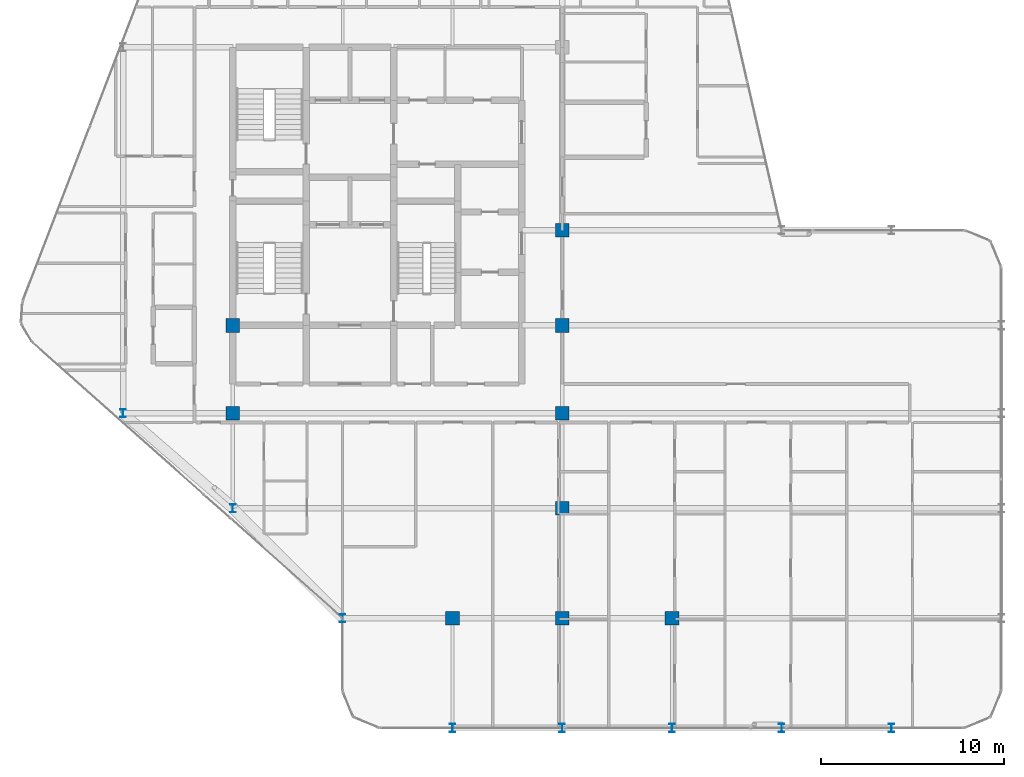
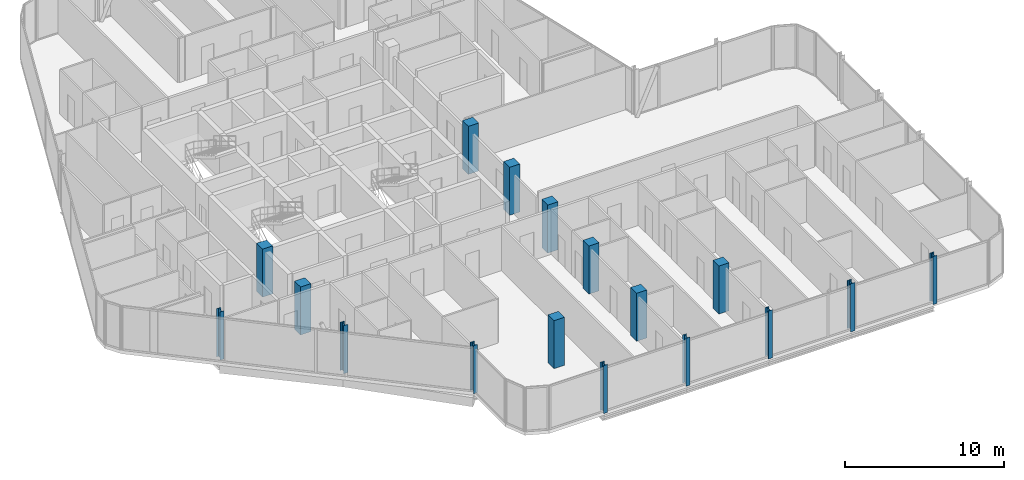
# One storey, part 1 of 29: 17 columns.
"""IFC4 building model written with IfcOpenShell, lengths in metres."""

from ifc_helpers import new_model, si_unit, direction, frame, origin, origin_2d, place, context, subcontext, project, spatial, rectangle, i_section, extrude, material, material_profile, profile_set, type_object, element, save


model = new_model("IFC4")

# Units and contexts
model_context = context("Model", 3, precision=1e-05, world=origin(), true_north=direction((0.0, 1.0)))
body_context = subcontext(model_context, "Body", "Model", "MODEL_VIEW")
ifc_project = project(units=[si_unit("LENGTHUNIT", "METRE"), si_unit("AREAUNIT", "SQUARE_METRE"), si_unit("VOLUMEUNIT", "CUBIC_METRE"), si_unit("PLANEANGLEUNIT", "RADIAN"), si_unit("MASSUNIT", "GRAM", prefix="KILO")], contexts=[model_context])

# Site, building, storey
site_placement = place(None, origin())
site = spatial("IfcSite", under=ifc_project, at=site_placement, CompositionType="ELEMENT")
building_placement = place(site_placement, origin())
building = spatial("IfcBuilding", under=site, at=building_placement, Name="Keshet Zoharim Tower", CompositionType="ELEMENT")
storey_placement = place(building_placement, frame((0.0, 0.0, 222.800048828125)))
storey = spatial("IfcBuildingStorey", under=building, at=storey_placement, Name="L55", CompositionType="ELEMENT", Elevation=222.800048828125)

# Columns
ifc_material_1 = material(Name="Steel S355", Category="steel")
ifc_material_profile_1 = material_profile(ifc_material_1, i_section(OverallWidth=0.300048828125, OverallDepth=0.449951171875, WebThickness=0.013916015625, FlangeThickness=0.02587890625, FilletRadius=0.027099609375, at=origin_2d()), Name="HEB450")
ifc_profile_set_1 = profile_set([ifc_material_profile_1], Name="Steel S355")
column_type_1 = type_object("IfcColumnType", Name="COL-HEB450", PredefinedType="COLUMN", material=ifc_profile_set_1)
for number, where, z_axis, x_axis, name in (
    (1, (9.0, 17.89990234375, 0.0), (0.0, 0.0, 1.0), (1.0, 0.0, 0.0), "L55 Column 2D"),
    (2, (15.0, 12.699951171875, 0.0), (0.0, 0.0, 1.0), (1.0, 0.0, 0.0), "L55 Column 3C"),
    (3, (21.0, 6.699951171875, 0.0), (0.0, 0.0, 1.0), (1.0, 0.0, 0.0), "L55 Column 4B"),
    (4, (27.0, 0.699951171875, 0.0), (0.0, 0.0, 1.0), (1.0, 0.0, 0.0), "L55 Column 5A"),
    (5, (33.0, 0.699951171875, 0.0), (0.0, 0.0, 1.0), (1.0, 0.0, 0.0), "L55 Column 6A"),
    (6, (39.0, 0.699951171875, 0.0), (0.0, 0.0, 1.0), (1.0, 0.0, 0.0), "L55 Column 7A"),
    (7, (45.0, 0.699951171875, 0.0), (0.0, 0.0, 1.0), (1.0, 0.0, 0.0), "L55 Column 8A"),
    (8, (51.0, 0.699951171875, 0.0), (0.0, 0.0, 1.0), (1.0, 0.0, 0.0), "L55 Column 9A"),
):
    element("IfcColumn", number, at=place(storey_placement, frame(where, z_axis=z_axis, x_axis=x_axis)), inside=storey, type_object=column_type_1, Name=name, PredefinedType="COLUMN", context=body_context, shape_type="SweptSolid", body=[
        extrude(i_section(OverallWidth=0.300048828125, OverallDepth=0.449951171875, WebThickness=0.013916015625, FlangeThickness=0.02587890625, FilletRadius=0.027099609375, at=origin_2d()), origin(), (0.0, 0.0, 1.0), 3.699951171875),
    ])
ifc_material_2 = material(Name="Concrete C50/60", Category="concrete")
ifc_material_profile_2 = material_profile(ifc_material_2, rectangle(XDim=0.75, YDim=0.75, at=origin_2d()), Name="RC750x750")
ifc_profile_set_2 = profile_set([ifc_material_profile_2], Name="Concrete C50/60")
column_type_2 = type_object("IfcColumnType", Name="COL-RC750", PredefinedType="COLUMN", material=ifc_profile_set_2)
for number, where, z_axis, x_axis, name in (
    (9, (15.0, 17.89990234375, 0.0), (0.0, 0.0, 1.0), (1.0, 0.0, 0.0), "L55 Column 3D"),
    (10, (15.0, 22.699951171875, 0.0), (0.0, 0.0, 1.0), (1.0, 0.0, 0.0), "L55 Column 3E"),
    (11, (27.0, 6.699951171875, 0.0), (0.0, 0.0, 1.0), (1.0, 0.0, 0.0), "L55 Column 5B"),
    (12, (33.0, 6.699951171875, 0.0), (0.0, 0.0, 1.0), (1.0, 0.0, 0.0), "L55 Column 6B"),
    (13, (33.0, 12.699951171875, 0.0), (0.0, 0.0, 1.0), (1.0, 0.0, 0.0), "L55 Column 6C"),
    (14, (33.0, 17.89990234375, 0.0), (0.0, 0.0, 1.0), (1.0, 0.0, 0.0), "L55 Column 6D"),
    (15, (33.0, 22.699951171875, 0.0), (0.0, 0.0, 1.0), (1.0, 0.0, 0.0), "L55 Column 6E"),
    (16, (33.0, 27.89990234375, 0.0), (0.0, 0.0, 1.0), (1.0, 0.0, 0.0), "L55 Column 6F"),
    (17, (39.0, 6.699951171875, 0.0), (0.0, 0.0, 1.0), (1.0, 0.0, 0.0), "L55 Column 7B"),
):
    element("IfcColumn", number, at=place(storey_placement, frame(where, z_axis=z_axis, x_axis=x_axis)), inside=storey, type_object=column_type_2, Name=name, PredefinedType="COLUMN", context=body_context, shape_type="SweptSolid", body=[
        extrude(rectangle(XDim=0.75, YDim=0.75, at=origin_2d()), origin(), (0.0, 0.0, 1.0), 3.699951171875),
    ])

save(model, "model.ifc")
